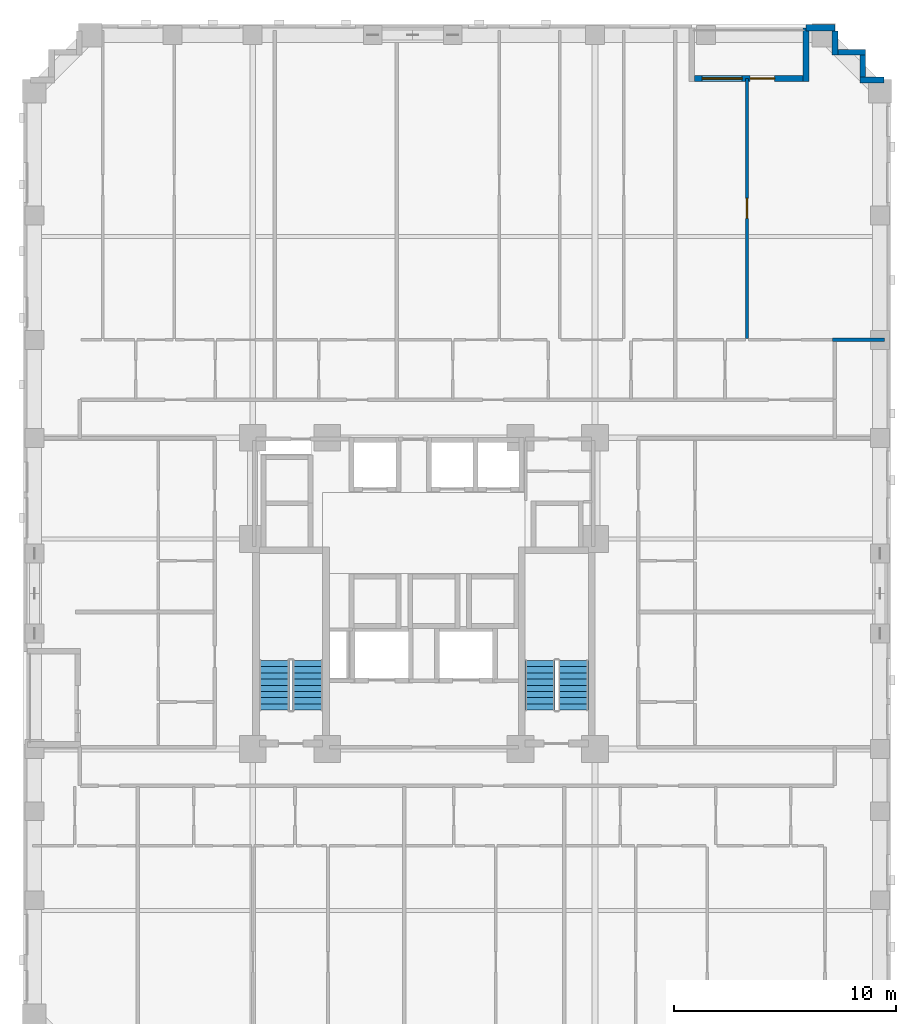
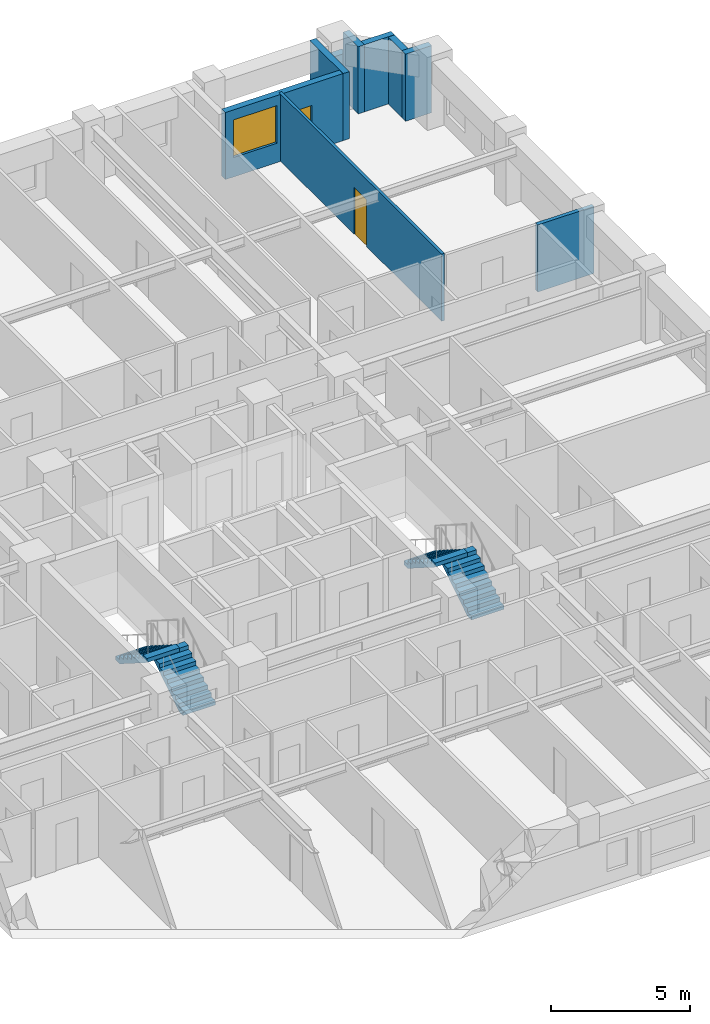
# One storey, part 9 of 14: 9 walls, 4 stair flights, 2 doors, 1 window, 3 openings, 2 elements without a shape of their own.
"""IFC4 building model written with IfcOpenShell, lengths in metres."""

from ifc_helpers import new_model, si_unit, derived_unit, direction, frame, frame_2d, origin, place, context, subcontext, project, spatial, polyline, rectangle, outline, extrude, material, layer, layer_set, type_object, element, fill, aggregate, save


model = new_model("IFC4")

# Units and contexts
model_context = context("Model", 3, precision=1e-05, world=origin(), true_north=direction((0.0, 1.0)))
body_context = subcontext(model_context, "Body", "Model", "MODEL_VIEW")
ifc_project = project(units=[si_unit("LENGTHUNIT", "METRE"), si_unit("AREAUNIT", "SQUARE_METRE"), si_unit("VOLUMEUNIT", "CUBIC_METRE"), si_unit("PLANEANGLEUNIT", "RADIAN"), si_unit("MASSUNIT", "GRAM", prefix="KILO"), derived_unit("THERMALTRANSMITTANCEUNIT", [(si_unit("MASSUNIT", "GRAM", prefix="KILO"), 1), (si_unit("TIMEUNIT", "SECOND"), -3), (si_unit("THERMODYNAMICTEMPERATUREUNIT", "KELVIN"), -1)])], contexts=[model_context])

# Site, building, storey
site_placement = place(None, origin())
site = spatial("IfcSite", under=ifc_project, at=site_placement, CompositionType="ELEMENT")
building_placement = place(site_placement, origin())
building = spatial("IfcBuilding", under=site, at=building_placement, Name="Korrvale Station Residences", CompositionType="ELEMENT")
storey_placement = place(building_placement, frame((0.0, 0.0, 57.800048828125)))
storey = spatial("IfcBuildingStorey", under=building, at=storey_placement, Name="L15", CompositionType="ELEMENT", Elevation=57.800048828125)

# Wall, openings, door, window
ifc_material_1 = material(Name="Precast concrete C45/55", Category="concrete")
ifc_layer_1 = layer(ifc_material_1, 0.260009765625, Name="Precast concrete C45/55")
ifc_layer_set_1 = layer_set([ifc_layer_1], Name="Precast concrete C45/55")
wall_type_1 = type_object("IfcWallType", Name="WAL-EXT-LOG260", PredefinedType="SOLIDWALL", material=ifc_layer_set_1)
wall_1_placement = place(storey_placement, frame((37.68408203125, 45.169921875, 0.0), z_axis=(0.0, 0.0, 1.0), x_axis=(1.0, 0.0, 0.0)))
wall_1 = element("IfcWall", 1, at=wall_1_placement, inside=storey, type_object=wall_type_1, Name="L15 Recessed Loggia Wall BAL-L15-N1-B", PredefinedType="SOLIDWALL", context=body_context, shape_type="SweptSolid", body=[
    extrude(rectangle(XDim=4.8818359375, YDim=0.260009765625, at=frame_2d((2.44091796875, 0.0))), origin(), (0.0, 0.0, 1.0), 2.93994140625),
])
opening_1_placement = place(wall_1_placement, frame((2.49609375, 0.0, 0.0)))
opening_1 = element("IfcOpeningElement", 2, at=opening_1_placement, cuts=wall_1, Name="Opening BD-01", PredefinedType="OPENING", context=body_context, shape_type="SweptSolid", body=[
    extrude(rectangle(XDim=1.10009765625, YDim=2.0, at=frame_2d((0.550048828125, 1.0))), frame((0.0, 0.14013671875, 0.0), z_axis=(0.0, -1.0, 0.0), x_axis=(1.0, 0.0, 0.0)), (0.0, 0.0, 1.0), 0.280029296875),
])
opening_2_placement = place(wall_1_placement, frame((0.3359375, 0.0, 0.85009765625)))
opening_2 = element("IfcOpeningElement", 3, at=opening_2_placement, cuts=wall_1, Name="Opening W-03", PredefinedType="OPENING", context=body_context, shape_type="SweptSolid", body=[
    extrude(rectangle(XDim=1.800048828125, YDim=1.64990234375, at=frame_2d((0.89990234375, 0.824951171875))), frame((0.0, 0.14013671875, 0.0), z_axis=(0.0, -1.0, 0.0), x_axis=(1.0, 0.0, 0.0)), (0.0, 0.0, 1.0), 0.280029296875),
])
ifc_material_2 = material(Name="Exterior thermally broken aluminium glazed balcony door", Category="aluminium")
door_type_1 = type_object("IfcDoorType", Name="DR-EXT-BAL", OperationType="NOTDEFINED", PredefinedType="DOOR", material=ifc_material_2)
door_1_placement = place(opening_1_placement, origin())
door_1 = element("IfcDoor", 4, at=door_1_placement, inside=storey, type_object=door_type_1, Name="L15 Loggia Balcony Door BAL-L15-N1", OperationType="SINGLE_SWING_LEFT", OverallHeight=2.0, OverallWidth=1.10009765625, PredefinedType="DOOR", context=body_context, shape_type="SweptSolid", body=[
    extrude(rectangle(XDim=1.10009765625, YDim=2.0, at=frame_2d((0.550048828125, 1.0))), frame((0.0, 0.02490234375, 0.0), z_axis=(0.0, -1.0, 0.0), x_axis=(1.0, 0.0, 0.0)), (0.0, 0.0, 1.0), 0.050048828125),
])
fill(opening_1, door_1)
ifc_material_3 = material(Name="Thermally broken aluminium frame with triple low-e glazing", Category="aluminium")
window_type = type_object("IfcWindowType", Name="WIN-W03", PartitioningType="DOUBLE_PANEL_VERTICAL", PredefinedType="WINDOW", material=ifc_material_3)
window_placement = place(opening_2_placement, origin())
window = element("IfcWindow", 5, at=window_placement, inside=storey, type_object=window_type, Name="L15 Punched Window 21", OverallHeight=1.64990234375, OverallWidth=1.800048828125, PartitioningType="DOUBLE_PANEL_VERTICAL", PredefinedType="WINDOW", context=body_context, shape_type="SweptSolid", body=[
    extrude(rectangle(XDim=1.800048828125, YDim=1.64990234375, at=frame_2d((0.89990234375, 0.824951171875))), frame((0.0, 0.030029296875, 0.0), z_axis=(0.0, -1.0, 0.0), x_axis=(1.0, 0.0, 0.0)), (0.0, 0.0, 1.0), 0.06005859375),
])
fill(opening_2, window)

# Walls
wall_2_placement = place(storey_placement, frame((42.699951171875, 45.0400390625, 0.0), z_axis=(0.0, 0.0, 1.0), x_axis=(0.0, 1.0, 0.0)))
element("IfcWall", 6, at=wall_2_placement, inside=storey, type_object=wall_type_1, Name="L15 Recessed Loggia Wall BAL-L15-N1-R", PredefinedType="SOLIDWALL", context=body_context, shape_type="SweptSolid", body=[
    extrude(rectangle(XDim=2.39990234375, YDim=0.260009765625, at=frame_2d((1.199951171875, 0.0))), origin(), (0.0, 0.0, 1.0), 2.93994140625),
])
wall_3_placement = place(storey_placement, frame((44.0, 47.298095703125, 0.0), z_axis=(0.0, 0.0, 1.0), x_axis=(0.0, -1.0, 0.0)))
element("IfcWall", 7, at=wall_3_placement, inside=storey, type_object=wall_type_1, Name="L15 Serrated Corner Precast Step NE-1", PredefinedType="SOLIDWALL", context=body_context, shape_type="SweptSolid", body=[
    extrude(rectangle(XDim=1.078125, YDim=0.260009765625, at=frame_2d((0.5390625, 0.0))), origin(), (0.0, 0.0, 1.0), 2.93994140625),
])
wall_4_placement = place(storey_placement, frame((44.132080078125, 46.35009765625, 0.0), z_axis=(0.0, 0.0, 1.0), x_axis=(1.0, 0.0, 0.0)))
element("IfcWall", 8, at=wall_4_placement, inside=storey, type_object=wall_type_1, Name="L15 Serrated Corner Precast Step NE-2", PredefinedType="SOLIDWALL", context=body_context, shape_type="SweptSolid", body=[
    extrude(rectangle(XDim=1.247802734375, YDim=0.260009765625, at=frame_2d((0.6240234375, 0.0))), origin(), (0.0, 0.0, 1.0), 2.93994140625),
])
wall_5_placement = place(storey_placement, frame((45.25, 46.218017578125, 0.0), z_axis=(0.0, 0.0, 1.0), x_axis=(0.0, -1.0, 0.0)))
element("IfcWall", 9, at=wall_5_placement, inside=storey, type_object=wall_type_1, Name="L15 Serrated Corner Precast Step NE-3", PredefinedType="SOLIDWALL", context=body_context, shape_type="SweptSolid", body=[
    extrude(rectangle(XDim=0.986083984375, YDim=0.260009765625, at=frame_2d((0.4931640625, 0.0))), origin(), (0.0, 0.0, 1.0), 2.93994140625),
])
wall_6_placement = place(storey_placement, frame((45.1201171875, 45.10009765625, 0.0), z_axis=(0.0, 0.0, 1.0), x_axis=(1.0, 0.0, 0.0)))
element("IfcWall", 10, at=wall_6_placement, inside=storey, type_object=wall_type_1, Name="L15 Serrated Corner Precast Step NE-4", PredefinedType="SOLIDWALL", context=body_context, shape_type="SweptSolid", body=[
    extrude(rectangle(XDim=1.077880859375, YDim=0.260009765625, at=frame_2d((0.5390625, 0.0))), origin(), (0.0, 0.0, 1.0), 2.93994140625),
])
ifc_layer_2 = layer(ifc_material_1, 0.300048828125, Name="Precast concrete C45/55")
ifc_layer_set_2 = layer_set([ifc_layer_2], Name="Precast concrete C45/55")
wall_type_2 = type_object("IfcWallType", Name="WAL-EXT-PC300", PredefinedType="SOLIDWALL", material=ifc_layer_set_2)
wall_7_placement = place(storey_placement, frame((42.699951171875, 47.449951171875, 0.0), z_axis=(0.0, 0.0, 1.0), x_axis=(1.0, 0.0, 0.0)))
element("IfcWall", 11, at=wall_7_placement, inside=storey, type_object=wall_type_2, Name="L15 North Exterior Precast Wall 2", PredefinedType="SOLIDWALL", context=body_context, shape_type="SweptSolid", body=[
    extrude(rectangle(XDim=1.300048828125, YDim=0.300048828125, at=frame_2d((0.64990234375, 0.0))), origin(), (0.0, 0.0, 1.0), 1.974853515625),
])

# Wall, opening, door
ifc_material_4 = material(Name="Acoustic steel-stud gypsum board partition", Category="steel")
ifc_layer_3 = layer(ifc_material_4, 0.1201171875, Name="Acoustic steel-stud gypsum board partition")
ifc_layer_set_3 = layer_set([ifc_layer_3], Name="Acoustic steel-stud gypsum board partition")
wall_type_3 = type_object("IfcWallType", Name="WAL-PART-125", PredefinedType="PARTITIONING", material=ifc_layer_set_3)
wall_8_placement = place(storey_placement, frame((40.0400390625, 33.47998046875, 0.0), z_axis=(0.0, 0.0, 1.0), x_axis=(0.0, 1.0, 0.0)))
wall_8 = element("IfcWall", 12, at=wall_8_placement, inside=storey, type_object=wall_type_3, Name="L15 Suite Partition U08-V23", PredefinedType="PARTITIONING", context=body_context, shape_type="SweptSolid", body=[
    extrude(rectangle(XDim=11.68994140625, YDim=0.1201171875, at=frame_2d((5.844970703125, 0.0))), origin(), (0.0, 0.0, 1.0), 2.93994140625),
])
opening_3_placement = place(wall_8_placement, frame((5.39501953125, 0.0, 0.0)))
opening_3 = element("IfcOpeningElement", 13, at=opening_3_placement, cuts=wall_8, Name="Opening DI-900", PredefinedType="OPENING", context=body_context, shape_type="SweptSolid", body=[
    extrude(rectangle(XDim=0.89990234375, YDim=2.050048828125, at=frame_2d((0.449951171875, 1.02490234375))), frame((0.0, 0.070068359375, 0.0), z_axis=(0.0, -1.0, 0.0), x_axis=(1.0, 0.0, 0.0)), (0.0, 0.0, 1.0), 0.14013671875),
])
ifc_material_5 = material(Name="Painted solid-core timber interior room door", Category="wood")
door_type_2 = type_object("IfcDoorType", Name="DR-INT-900", OperationType="NOTDEFINED", PredefinedType="DOOR", material=ifc_material_5)
door_2_placement = place(opening_3_placement, origin())
door_2 = element("IfcDoor", 14, at=door_2_placement, inside=storey, type_object=door_type_2, Name="L15 Studio Apartment L15-U08 Walk-In Wardrobe Door", OperationType="SINGLE_SWING_RIGHT", OverallHeight=2.050048828125, OverallWidth=0.89990234375, PredefinedType="DOOR", context=body_context, shape_type="SweptSolid", body=[
    extrude(rectangle(XDim=0.89990234375, YDim=2.050048828125, at=frame_2d((0.449951171875, 1.02490234375))), frame((0.0, 0.02490234375, 0.0), z_axis=(0.0, -1.0, 0.0), x_axis=(1.0, 0.0, 0.0)), (0.0, 0.0, 1.0), 0.050048828125),
])
fill(opening_3, door_2)

# Wall
ifc_material_6 = material(Name="Fire-rated twin-stud gypsum and mineral wool shaftwall assembly", Category="gypsum")
ifc_layer_4 = layer(ifc_material_6, 0.159912109375, Name="Fire-rated twin-stud gypsum and mineral wool shaftwall assembly")
ifc_layer_set_4 = layer_set([ifc_layer_4], Name="Fire-rated twin-stud gypsum and mineral wool shaftwall assembly")
wall_type_4 = type_object("IfcWallType", Name="WAL-PART-200", PredefinedType="PARTITIONING", material=ifc_layer_set_4)
wall_9_placement = place(storey_placement, frame((43.8798828125, 33.419921875, 0.0), z_axis=(0.0, 0.0, 1.0), x_axis=(1.0, 0.0, 0.0)))
element("IfcWall", 15, at=wall_9_placement, inside=storey, type_object=wall_type_4, Name="L15 Corner Step Wall U08-R", PredefinedType="PARTITIONING", context=body_context, shape_type="SweptSolid", body=[
    extrude(rectangle(XDim=2.340087890625, YDim=0.159912109375, at=frame_2d((1.169921875, 0.0))), origin(), (0.0, 0.0, 1.0), 2.93994140625),
])

# Stair, stair flights
ifc_material_7 = material(Name="Concrete C50/60", Category="concrete")
stair_type = type_object("IfcStairType", Name="STR-DL-1350-18R-1778", PredefinedType="HALF_TURN_STAIR", material=ifc_material_7)
stair_1_placement = place(storey_placement, origin())
stair_1 = element("IfcStair", 16, at=stair_1_placement, inside=storey, type_object=stair_type, Name="L15 Exit Stair 1", PredefinedType="HALF_TURN_STAIR")
stair_flight_type = type_object("IfcStairFlightType", Name="FLT-DL-1350-18R-1778", PredefinedType="STRAIGHT", material=ifc_material_7)
stair_flight_1_placement = place(storey_placement, frame((20.27490234375, 16.75, 0.0), z_axis=(0.0, 0.0, 1.0), x_axis=(0.0, 1.0, 0.0)))
stair_flight_1 = element("IfcStairFlight", 17, at=stair_flight_1_placement, type_object=stair_flight_type, Name="ST-1 flight 1", NumberOfRisers=9, NumberOfTreads=8, PredefinedType="STRAIGHT", RiserHeight=0.177777778, TreadLength=0.28, context=body_context, shape_type="SweptSolid", body=[
    extrude(outline(polyline([(0.0, 0.0), (0.0, 0.177734375), (0.280029296875, 0.177734375), (0.280029296875, 0.35546875), (0.56005859375, 0.35546875), (0.56005859375, 0.533447265625), (0.840087890625, 0.533447265625), (0.840087890625, 0.711181640625), (1.1201171875, 0.711181640625), (1.1201171875, 0.888916015625), (1.39990234375, 0.888916015625), (1.39990234375, 1.066650390625), (1.679931640625, 1.066650390625), (1.679931640625, 1.244384765625), (1.9599609375, 1.244384765625), (1.9599609375, 1.422119140625), (2.239990234375, 1.422119140625), (2.239990234375, 1.60009765625), (2.239990234375, 1.24462890625), (0.27978515625, 0.0), (0.0, 0.0)])), frame((0.0, 0.675048828125, 0.0), z_axis=(0.0, -1.0, 0.0), x_axis=(1.0, 0.0, 0.0)), (0.0, 0.0, 1.0), 1.35009765625),
])
stair_flight_2_placement = place(storey_placement, frame((18.77490234375, 18.989990234375, 1.599853515625), z_axis=(0.0, 0.0, 1.0), x_axis=(0.0, -1.0, 0.0)))
stair_flight_2 = element("IfcStairFlight", 18, at=stair_flight_2_placement, type_object=stair_flight_type, Name="ST-1 flight 2", NumberOfRisers=9, NumberOfTreads=8, PredefinedType="STRAIGHT", RiserHeight=0.177777778, TreadLength=0.28, context=body_context, shape_type="SweptSolid", body=[
    extrude(outline(polyline([(0.0, 0.0), (0.0, 0.177734375), (0.280029296875, 0.177734375), (0.280029296875, 0.35546875), (0.56005859375, 0.35546875), (0.56005859375, 0.533447265625), (0.840087890625, 0.533447265625), (0.840087890625, 0.711181640625), (1.1201171875, 0.711181640625), (1.1201171875, 0.888916015625), (1.39990234375, 0.888916015625), (1.39990234375, 1.066650390625), (1.679931640625, 1.066650390625), (1.679931640625, 1.244384765625), (1.9599609375, 1.244384765625), (1.9599609375, 1.422119140625), (2.239990234375, 1.422119140625), (2.239990234375, 1.60009765625), (2.239990234375, 1.24462890625), (0.27978515625, 0.0), (0.0, 0.0)])), frame((0.0, 0.675048828125, 0.0), z_axis=(0.0, -1.0, 0.0), x_axis=(1.0, 0.0, 0.0)), (0.0, 0.0, 1.0), 1.35009765625),
])
aggregate(stair_1, [stair_flight_1, stair_flight_2])

stair_2_placement = place(storey_placement, origin())
stair_2 = element("IfcStair", 19, at=stair_2_placement, inside=storey, type_object=stair_type, Name="L15 Exit Stair 2", PredefinedType="HALF_TURN_STAIR")
stair_flight_3_placement = place(storey_placement, frame((32.22509765625, 16.75, 0.0), z_axis=(0.0, 0.0, 1.0), x_axis=(0.0, 1.0, 0.0)))
stair_flight_3 = element("IfcStairFlight", 20, at=stair_flight_3_placement, type_object=stair_flight_type, Name="ST-2 flight 1", NumberOfRisers=9, NumberOfTreads=8, PredefinedType="STRAIGHT", RiserHeight=0.177777778, TreadLength=0.28, context=body_context, shape_type="SweptSolid", body=[
    extrude(outline(polyline([(0.0, 0.0), (0.0, 0.177734375), (0.280029296875, 0.177734375), (0.280029296875, 0.35546875), (0.56005859375, 0.35546875), (0.56005859375, 0.533447265625), (0.840087890625, 0.533447265625), (0.840087890625, 0.711181640625), (1.1201171875, 0.711181640625), (1.1201171875, 0.888916015625), (1.39990234375, 0.888916015625), (1.39990234375, 1.066650390625), (1.679931640625, 1.066650390625), (1.679931640625, 1.244384765625), (1.9599609375, 1.244384765625), (1.9599609375, 1.422119140625), (2.239990234375, 1.422119140625), (2.239990234375, 1.60009765625), (2.239990234375, 1.24462890625), (0.27978515625, 0.0), (0.0, 0.0)])), frame((0.0, 0.675048828125, 0.0), z_axis=(0.0, -1.0, 0.0), x_axis=(1.0, 0.0, 0.0)), (0.0, 0.0, 1.0), 1.35009765625),
])
stair_flight_4_placement = place(storey_placement, frame((30.72509765625, 18.989990234375, 1.599853515625), z_axis=(0.0, 0.0, 1.0), x_axis=(0.0, -1.0, 0.0)))
stair_flight_4 = element("IfcStairFlight", 21, at=stair_flight_4_placement, type_object=stair_flight_type, Name="ST-2 flight 2", NumberOfRisers=9, NumberOfTreads=8, PredefinedType="STRAIGHT", RiserHeight=0.177777778, TreadLength=0.28, context=body_context, shape_type="SweptSolid", body=[
    extrude(outline(polyline([(0.0, 0.0), (0.0, 0.177734375), (0.280029296875, 0.177734375), (0.280029296875, 0.35546875), (0.56005859375, 0.35546875), (0.56005859375, 0.533447265625), (0.840087890625, 0.533447265625), (0.840087890625, 0.711181640625), (1.1201171875, 0.711181640625), (1.1201171875, 0.888916015625), (1.39990234375, 0.888916015625), (1.39990234375, 1.066650390625), (1.679931640625, 1.066650390625), (1.679931640625, 1.244384765625), (1.9599609375, 1.244384765625), (1.9599609375, 1.422119140625), (2.239990234375, 1.422119140625), (2.239990234375, 1.60009765625), (2.239990234375, 1.24462890625), (0.27978515625, 0.0), (0.0, 0.0)])), frame((0.0, 0.675048828125, 0.0), z_axis=(0.0, -1.0, 0.0), x_axis=(1.0, 0.0, 0.0)), (0.0, 0.0, 1.0), 1.35009765625),
])
aggregate(stair_2, [stair_flight_3, stair_flight_4])

save(model, "model.ifc")
